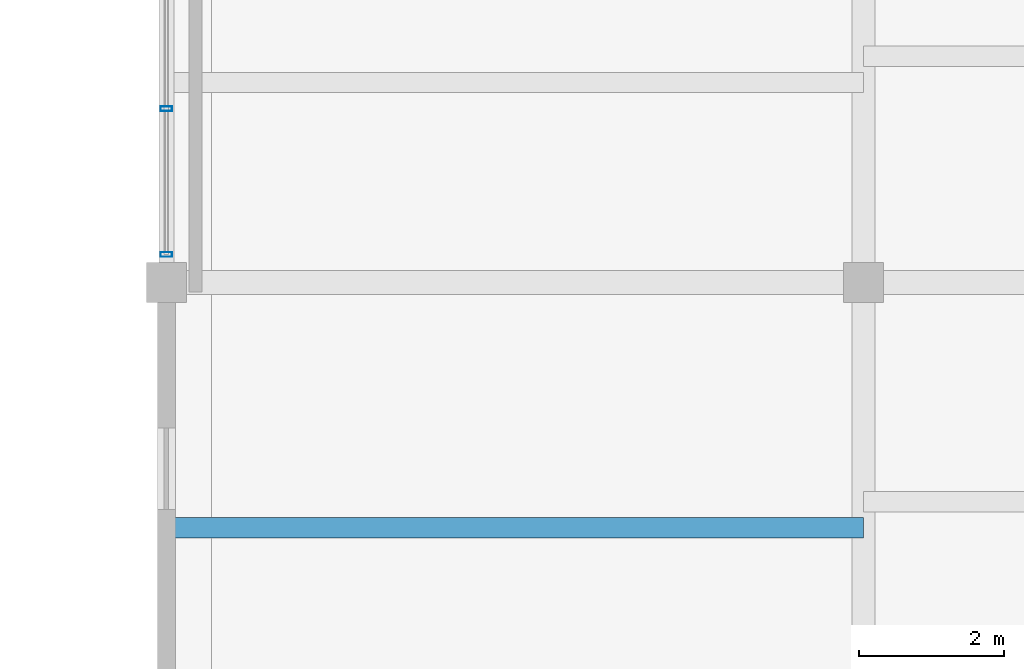
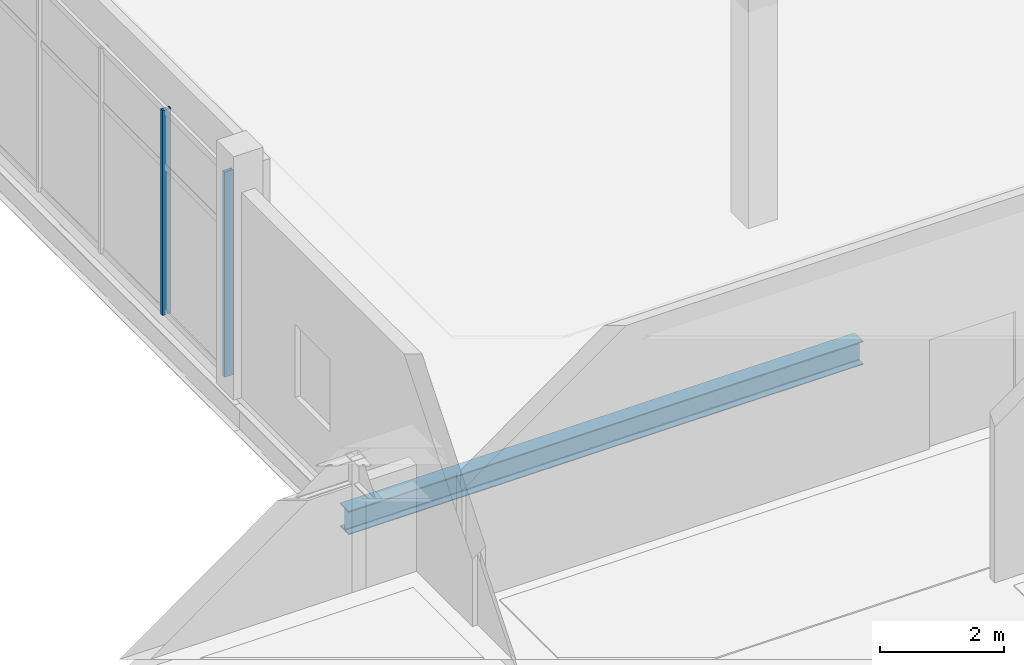
# One storey, part 73 of 157: 2 members, 1 beam, 1 element without a shape of its own.
"""IFC4 building model written with IfcOpenShell, lengths in metres."""

from ifc_helpers import new_model, si_unit, direction, frame, origin, origin_2d, place, context, subcontext, project, spatial, hollow_rectangle, i_section, extrude, material, layer, layer_set, material_profile, profile_set, type_object, element, aggregate, save


model = new_model("IFC4")

# Units and contexts
model_context = context("Model", 3, precision=1e-05, world=origin(), true_north=direction((0.0, 1.0)))
body_context = subcontext(model_context, "Body", "Model", "MODEL_VIEW")
ifc_project = project(units=[si_unit("LENGTHUNIT", "METRE"), si_unit("AREAUNIT", "SQUARE_METRE"), si_unit("VOLUMEUNIT", "CUBIC_METRE"), si_unit("PLANEANGLEUNIT", "RADIAN"), si_unit("MASSUNIT", "GRAM", prefix="KILO")], contexts=[model_context])

# Site, building, storey
site_placement = place(None, origin())
site = spatial("IfcSite", under=ifc_project, at=site_placement, CompositionType="ELEMENT")
building_placement = place(site_placement, origin())
building = spatial("IfcBuilding", under=site, at=building_placement, Name="Chalmorin Arch Market", CompositionType="ELEMENT")
storey_placement = place(building_placement, frame((0.0, 0.0, 4.800048828125)))
storey = spatial("IfcBuildingStorey", under=building, at=storey_placement, Name="L01", CompositionType="ELEMENT", Elevation=4.800048828125)

# Curtain wall, members
ifc_material_1 = material(Name="Aluminium 6063-T6", Category="aluminium")
ifc_layer = layer(ifc_material_1, 0.159912109375)
ifc_layer_set = layer_set([ifc_layer], Name="Aluminium 6063-T6")
curtain_wall_type = type_object("IfcCurtainWallType", Name="CulinaryStudioCurtainWall-CW3-8030x4050", PredefinedType="NOTDEFINED", material=ifc_layer_set)
curtain_wall_placement = place(storey_placement, origin())
curtain_wall = element("IfcCurtainWall", 1, at=curtain_wall_placement, inside=storey, type_object=curtain_wall_type, Name="CW-03-115", PredefinedType="NOTDEFINED")
ifc_material_profile_1 = material_profile(ifc_material_1, hollow_rectangle(XDim=0.06494140625, YDim=0.159912109375, WallThickness=0.00390625, at=origin_2d()), Name="ALU65X160X4")
ifc_profile_set_1 = profile_set([ifc_material_profile_1], Name="Aluminium 6063-T6")
member_type = type_object("IfcMemberType", Name="CurtainWallMullion-65x160", PredefinedType="MULLION", material=ifc_profile_set_1)
member_1_placement = place(storey_placement, frame((48.0, 101.18505859375, 0.0), z_axis=(0.0, 0.0, 1.0), x_axis=(0.0, 1.0, 0.0)))
member_1 = element("IfcMember", 2, at=member_1_placement, type_object=member_type, Name="ML-115-01", PredefinedType="MULLION", context=body_context, shape_type="SweptSolid", body=[
    extrude(hollow_rectangle(XDim=0.06494140625, YDim=0.159912109375, WallThickness=0.00390625, at=origin_2d()), origin(), (0.0, 0.0, 1.0), 4.0458984375),
])
member_2_placement = place(storey_placement, frame((48.0, 103.1923828125, 0.0), z_axis=(0.0, 0.0, 1.0), x_axis=(0.0, 1.0, 0.0)))
member_2 = element("IfcMember", 3, at=member_2_placement, type_object=member_type, Name="ML-115-02", PredefinedType="MULLION", context=body_context, shape_type="SweptSolid", body=[
    extrude(hollow_rectangle(XDim=0.06494140625, YDim=0.159912109375, WallThickness=0.00390625, at=origin_2d()), origin(), (0.0, 0.0, 1.0), 4.0458984375),
])
aggregate(curtain_wall, [member_1, member_2])

# Beam
ifc_material_2 = material(Name="Steel A992 Grade 50", Category="steel")
ifc_material_profile_2 = material_profile(ifc_material_2, i_section(OverallWidth=0.280029296875, OverallDepth=0.462890625, WebThickness=0.0107421875, FlangeThickness=0.017333984375, FilletRadius=0.02001953125, at=origin_2d()), Name="W18X76")
ifc_profile_set_2 = profile_set([ifc_material_profile_2], Name="Steel A992 Grade 50")
beam_type = type_object("IfcBeamType", Name="WorkshopSteelBeam-W18X76", PredefinedType="BEAM", material=ifc_profile_set_2)
beam_placement = place(storey_placement, frame((48.0, 97.419921875, -0.553466796875), z_axis=(1.0, 0.0, 0.0), x_axis=(0.0, 1.0, 0.0)))
element("IfcBeam", 4, at=beam_placement, inside=storey, type_object=beam_type, Name="BM-W18C-0963", PredefinedType="BEAM", context=body_context, shape_type="SweptSolid", body=[
    extrude(i_section(OverallWidth=0.280029296875, OverallDepth=0.462890625, WebThickness=0.0107421875, FlangeThickness=0.017333984375, FilletRadius=0.02001953125, at=origin_2d()), origin(), (0.0, 0.0, 1.0), 9.60009765625),
])

save(model, "model.ifc")
